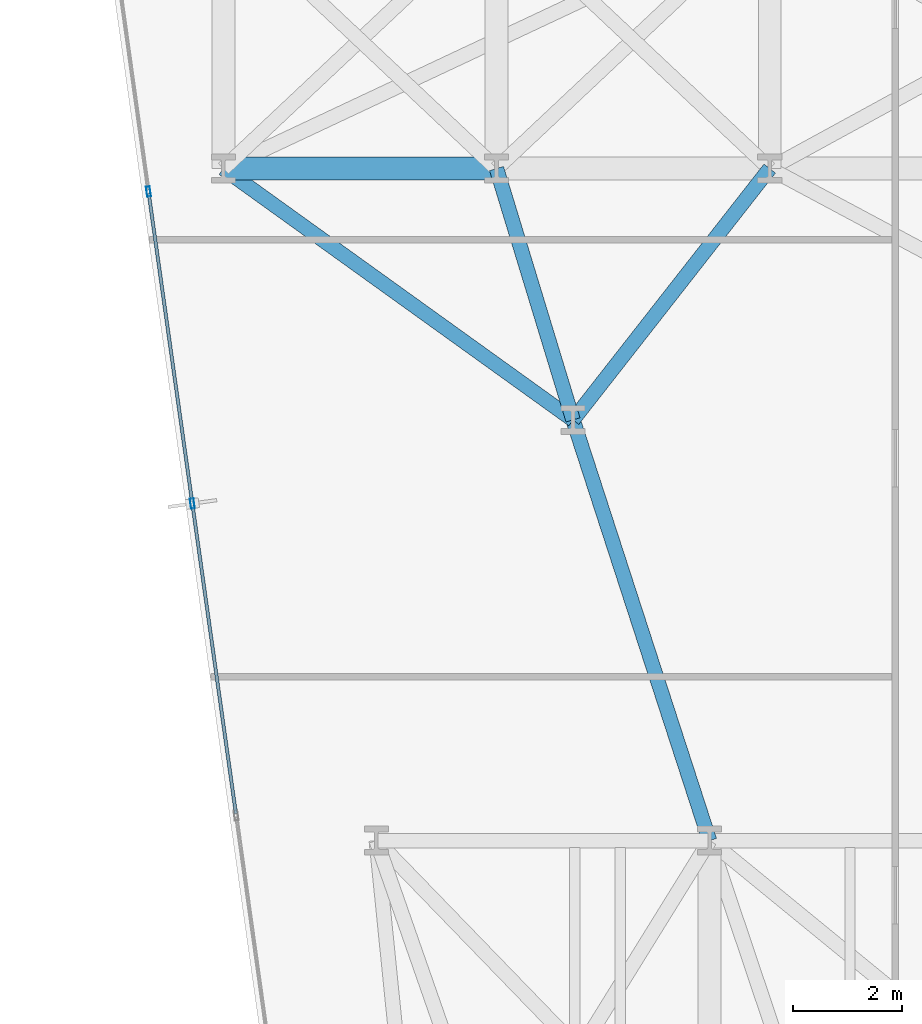
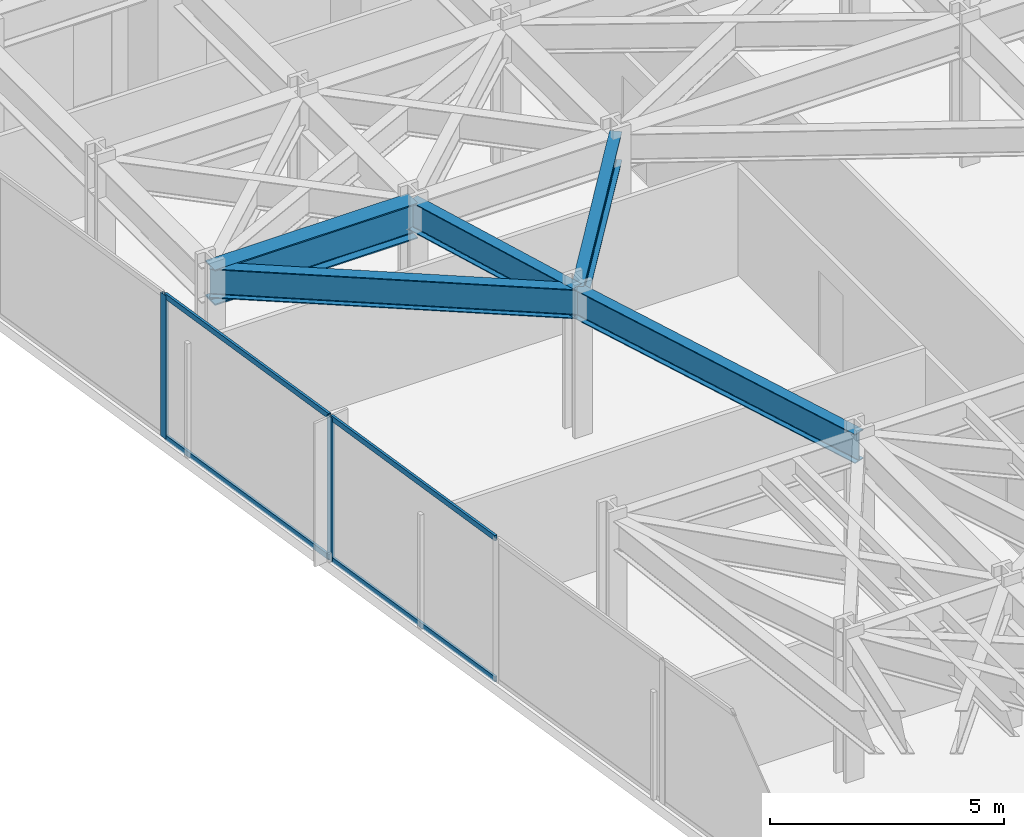
# One storey, part 7 of 25: 6 members, 5 beams, 1 element without a shape of its own.
"""IFC4 building model written with IfcOpenShell, lengths in metres."""

from ifc_helpers import new_model, si_unit, direction, frame, origin, origin_2d, place, context, subcontext, project, spatial, hollow_rectangle, i_section, extrude, material, layer, layer_set, material_profile, profile_set, type_object, element, aggregate, save


model = new_model("IFC4")

# Units and contexts
model_context = context("Model", 3, precision=1e-05, world=origin(), true_north=direction((0.0, 1.0)))
body_context = subcontext(model_context, "Body", "Model", "MODEL_VIEW")
ifc_project = project(units=[si_unit("LENGTHUNIT", "METRE"), si_unit("AREAUNIT", "SQUARE_METRE"), si_unit("VOLUMEUNIT", "CUBIC_METRE"), si_unit("PLANEANGLEUNIT", "RADIAN"), si_unit("MASSUNIT", "GRAM", prefix="KILO")], contexts=[model_context])

# Site, building, storey
site_placement = place(None, origin())
site = spatial("IfcSite", under=ifc_project, at=site_placement, CompositionType="ELEMENT")
building_placement = place(site_placement, origin())
building = spatial("IfcBuilding", under=site, at=building_placement, Name="Kravanh Interchange Tower", CompositionType="ELEMENT")
storey_placement = place(building_placement, frame((0.0, 0.0, 57.5)))
storey = spatial("IfcBuildingStorey", under=building, at=storey_placement, Name="L13", CompositionType="ELEMENT", Elevation=57.5)

# Curtain wall, members
ifc_material_1 = material(Name="Anodised Bronze Aluminium", Category="aluminium")
ifc_layer = layer(ifc_material_1, 0.179931640625)
ifc_layer_set = layer_set([ifc_layer], Name="Unitised Curtain Wall System CW-Z1 Lower Office")
curtain_wall_type = type_object("IfcCurtainWallType", Name="Unitised Curtain Wall System CW-Z1 Lower Office", PredefinedType="NOTDEFINED", material=ifc_layer_set)
curtain_wall_placement = place(storey_placement, origin())
curtain_wall = element("IfcCurtainWall", 1, at=curtain_wall_placement, inside=storey, type_object=curtain_wall_type, Name="L13 Unitised Curtain Wall CW-L13-01", PredefinedType="NOTDEFINED")
ifc_material_2 = material(Name="Anodised Bronze Aluminium", Category="aluminium")
ifc_material_profile_1 = material_profile(ifc_material_2, hollow_rectangle(XDim=0.070068359375, YDim=0.179931640625, WallThickness=0.00390625, at=origin_2d()), Name="ALU70X180X4")
ifc_profile_set_1 = profile_set([ifc_material_profile_1], Name="Anodised Bronze Aluminium")
member_type_1 = type_object("IfcMemberType", Name="Curtain Wall Mullion ALU70X180X4 Bronze", PredefinedType="MULLION", material=ifc_profile_set_1)
member_1_placement = place(storey_placement, frame((8.03271484375, 20.66845703125, 0.0), z_axis=(0.0, 0.0, 1.0), x_axis=(-0.990267585682, -0.139176538065, 0.0)))
member_1 = element("IfcMember", 2, at=member_1_placement, type_object=member_type_1, Name="CW-Z1 mullion 4", PredefinedType="MULLION", context=body_context, shape_type="SweptSolid", body=[
    extrude(hollow_rectangle(XDim=0.070068359375, YDim=0.179931640625, WallThickness=0.00390625, at=origin_2d()), origin(), (0.0, 0.0, 1.0), 3.739990234375),
])
member_2_placement = place(storey_placement, frame((7.22998046875, 26.37890625, 0.0), z_axis=(0.0, 0.0, 1.0), x_axis=(-0.990267585682, -0.139176538065, 0.0)))
member_2 = element("IfcMember", 3, at=member_2_placement, type_object=member_type_1, Name="CW-Z1 mullion 5", PredefinedType="MULLION", context=body_context, shape_type="SweptSolid", body=[
    extrude(hollow_rectangle(XDim=0.070068359375, YDim=0.179931640625, WallThickness=0.00390625, at=origin_2d()), origin(), (0.0, 0.0, 1.0), 3.739990234375),
])
ifc_material_3 = material(Name="Anodised Bronze Aluminium", Category="aluminium")
ifc_material_profile_2 = material_profile(ifc_material_3, hollow_rectangle(XDim=0.06005859375, YDim=0.139892578125, WallThickness=0.00390625, at=origin_2d()), Name="ALU60X140X4")
ifc_profile_set_2 = profile_set([ifc_material_profile_2], Name="Anodised Bronze Aluminium")
member_type_2 = type_object("IfcMemberType", Name="Curtain Wall Transom ALU60X140X4 Bronze", PredefinedType="USERDEFINED", material=ifc_profile_set_2)
member_3_placement = place(storey_placement, frame((8.830322265625, 14.992431640625, 0.030029296875), z_axis=(-0.139153051789, 0.990270886262, 0.0), x_axis=(-0.990270886262, -0.139153051789, 0.0)))
member_3 = element("IfcMember", 4, at=member_3_placement, type_object=member_type_2, Name="CW-Z1 transom 3.1", ObjectType="TRANSOM", PredefinedType="USERDEFINED", context=body_context, shape_type="SweptSolid", body=[
    extrude(hollow_rectangle(XDim=0.06005859375, YDim=0.139892578125, WallThickness=0.00390625, at=origin_2d()), origin(), (0.0, 0.0, 1.0), 5.69677734375),
])
member_4_placement = place(storey_placement, frame((8.830322265625, 14.992431640625, 3.7099609375), z_axis=(-0.139153051789, 0.990270886262, 0.0), x_axis=(-0.990270886262, -0.139153051789, 0.0)))
member_4 = element("IfcMember", 5, at=member_4_placement, type_object=member_type_2, Name="CW-Z1 transom 3.2", ObjectType="TRANSOM", PredefinedType="USERDEFINED", context=body_context, shape_type="SweptSolid", body=[
    extrude(hollow_rectangle(XDim=0.06005859375, YDim=0.139892578125, WallThickness=0.00390625, at=origin_2d()), origin(), (0.0, 0.0, 1.0), 5.69677734375),
])
member_5_placement = place(storey_placement, frame((8.02783203125, 20.703125, 0.030029296875), z_axis=(-0.139200984921, 0.990264149506, 0.0), x_axis=(-0.990264149506, -0.139200984921, 0.0)))
member_5 = element("IfcMember", 6, at=member_5_placement, type_object=member_type_2, Name="CW-Z1 transom 4.1", ObjectType="TRANSOM", PredefinedType="USERDEFINED", context=body_context, shape_type="SweptSolid", body=[
    extrude(hollow_rectangle(XDim=0.06005859375, YDim=0.139892578125, WallThickness=0.00390625, at=origin_2d()), origin(), (0.0, 0.0, 1.0), 5.696533203125),
])
member_6_placement = place(storey_placement, frame((8.02783203125, 20.703125, 3.7099609375), z_axis=(-0.139200984921, 0.990264149506, 0.0), x_axis=(-0.990264149506, -0.139200984921, 0.0)))
member_6 = element("IfcMember", 7, at=member_6_placement, type_object=member_type_2, Name="CW-Z1 transom 4.2", ObjectType="TRANSOM", PredefinedType="USERDEFINED", context=body_context, shape_type="SweptSolid", body=[
    extrude(hollow_rectangle(XDim=0.06005859375, YDim=0.139892578125, WallThickness=0.00390625, at=origin_2d()), origin(), (0.0, 0.0, 1.0), 5.696533203125),
])
aggregate(curtain_wall, [member_1, member_2, member_3, member_4, member_5, member_6])

# Beams
ifc_material_4 = material(Name="Structural Steel S355", Category="steel")
ifc_material_profile_3 = material_profile(ifc_material_4, i_section(OverallWidth=0.41796875, OverallDepth=0.927001953125, WebThickness=0.019287109375, FlangeThickness=0.031982421875, FilletRadius=0.028076171875, at=origin_2d()), Name="W36X231")
ifc_profile_set_3 = profile_set([ifc_material_profile_3], Name="Structural Steel S355")
beam_type_1 = type_object("IfcBeamType", Name="Floor Beam W36X231 Structural Steel S355", PredefinedType="BEAM", material=ifc_profile_set_3)
beam_1_placement = place(storey_placement, frame((8.60009765625, 26.800048828125, 3.276611328125), z_axis=(1.0, 0.0, 0.0), x_axis=(0.0, 1.0, 0.0)))
element("IfcBeam", 8, at=beam_1_placement, inside=storey, type_object=beam_type_1, Name="L13 Primary Floor Girder 67", PredefinedType="BEAM", context=body_context, shape_type="SweptSolid", body=[
    extrude(i_section(OverallWidth=0.41796875, OverallDepth=0.927001953125, WebThickness=0.019287109375, FlangeThickness=0.031982421875, FilletRadius=0.028076171875, at=origin_2d()), origin(), (0.0, 0.0, 1.0), 5.0),
])
ifc_material_5 = material(Name="Structural Steel S355", Category="steel")
ifc_material_profile_4 = material_profile(ifc_material_5, i_section(OverallWidth=0.26708984375, OverallDepth=0.761962890625, WebThickness=0.014404296875, FlangeThickness=0.021484375, FilletRadius=0.02490234375, at=origin_2d()), Name="W30X116")
ifc_profile_set_4 = profile_set([ifc_material_profile_4], Name="Structural Steel S355")
beam_type_2 = type_object("IfcBeamType", Name="Floor Spandrel W30X116 Structural Steel S355", PredefinedType="SPANDREL", material=ifc_profile_set_4)
beam_2_placement = place(storey_placement, frame((15.0, 22.199951171875, 3.35888671875), z_axis=(-0.291137370727, 0.956681259023, 0.0), x_axis=(-0.956681259023, -0.291137370727, 0.0)))
element("IfcBeam", 9, at=beam_2_placement, inside=storey, type_object=beam_type_2, Name="L13 Perimeter Spandrel 50", PredefinedType="SPANDREL", context=body_context, shape_type="SweptSolid", body=[
    extrude(i_section(OverallWidth=0.26708984375, OverallDepth=0.761962890625, WebThickness=0.014404296875, FlangeThickness=0.021484375, FilletRadius=0.02490234375, at=origin_2d()), origin(), (0.0, 0.0, 1.0), 4.808349609375),
])
beam_3_placement = place(storey_placement, frame((15.0, 22.199951171875, 3.35888671875), z_axis=(0.616310515553, 0.787503237085, 0.0), x_axis=(-0.787503237085, 0.616310515553, 0.0)))
element("IfcBeam", 10, at=beam_3_placement, inside=storey, type_object=beam_type_2, Name="L13 Perimeter Spandrel 51", PredefinedType="SPANDREL", context=body_context, shape_type="SweptSolid", body=[
    extrude(i_section(OverallWidth=0.26708984375, OverallDepth=0.761962890625, WebThickness=0.014404296875, FlangeThickness=0.021484375, FilletRadius=0.02490234375, at=origin_2d()), origin(), (0.0, 0.0, 1.0), 5.84130859375),
])
beam_4_placement = place(storey_placement, frame((15.0, 22.199951171875, 3.35888671875), z_axis=(-0.812005278585, 0.583650089994, 0.0), x_axis=(-0.583650089994, -0.812005278585, 0.0)))
element("IfcBeam", 11, at=beam_4_placement, inside=storey, type_object=beam_type_2, Name="L13 Perimeter Spandrel 52", PredefinedType="SPANDREL", context=body_context, shape_type="SweptSolid", body=[
    extrude(i_section(OverallWidth=0.26708984375, OverallDepth=0.761962890625, WebThickness=0.014404296875, FlangeThickness=0.021484375, FilletRadius=0.02490234375, at=origin_2d()), origin(), (0.0, 0.0, 1.0), 7.881591796875),
])
beam_5_placement = place(storey_placement, frame((15.0, 22.199951171875, 3.35888671875), z_axis=(0.30880852537, -0.951124226723, 0.0), x_axis=(0.951124226723, 0.30880852537, 0.0)))
element("IfcBeam", 12, at=beam_5_placement, inside=storey, type_object=beam_type_2, Name="L13 Perimeter Spandrel 53", PredefinedType="SPANDREL", context=body_context, shape_type="SweptSolid", body=[
    extrude(i_section(OverallWidth=0.26708984375, OverallDepth=0.761962890625, WebThickness=0.014404296875, FlangeThickness=0.021484375, FilletRadius=0.02490234375, at=origin_2d()), origin(), (0.0, 0.0, 1.0), 8.095703125),
])

save(model, "model.ifc")
